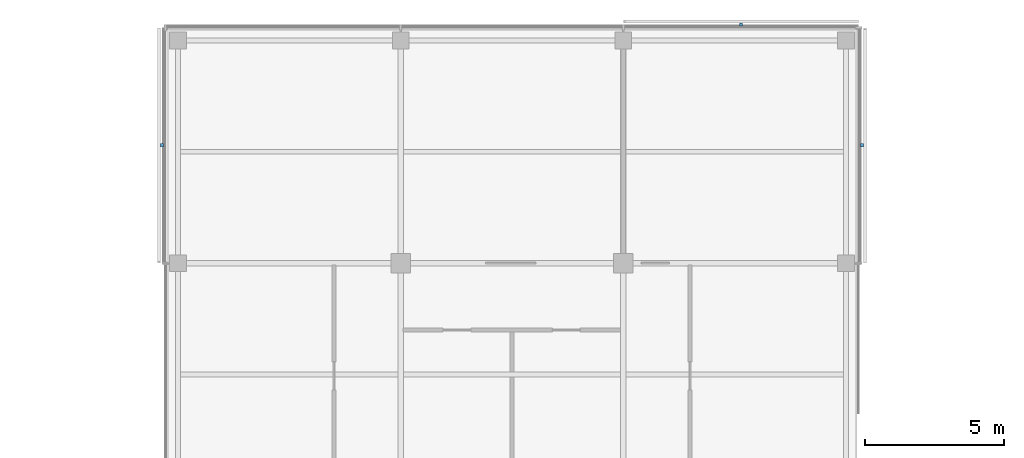
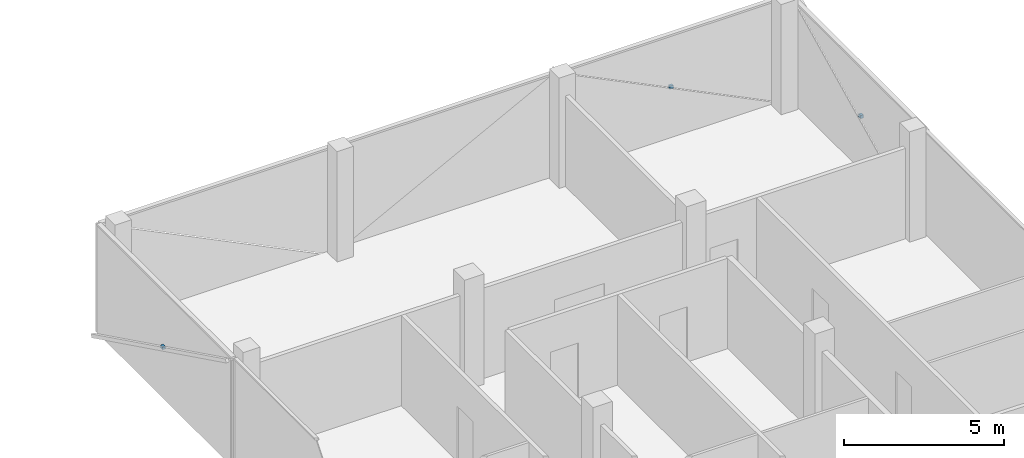
# One storey, part 15 of 16: 3 discrete accessories.
"""IFC4 building model written with IfcOpenShell, lengths in metres."""

from ifc_helpers import new_model, si_unit, direction, frame, origin, origin_2d, place, context, subcontext, project, spatial, rectangle, extrude, material, type_object, element, save


model = new_model("IFC4")

# Units and contexts
model_context = context("Model", 3, precision=1e-05, world=origin(), true_north=direction((0.0, 1.0)))
body_context = subcontext(model_context, "Body", "Model", "MODEL_VIEW")
ifc_project = project(units=[si_unit("LENGTHUNIT", "METRE"), si_unit("AREAUNIT", "SQUARE_METRE"), si_unit("VOLUMEUNIT", "CUBIC_METRE"), si_unit("PLANEANGLEUNIT", "RADIAN"), si_unit("MASSUNIT", "GRAM", prefix="KILO")], contexts=[model_context])

# Site, building, storey
site_placement = place(None, origin())
site = spatial("IfcSite", under=ifc_project, at=site_placement, CompositionType="ELEMENT")
building_placement = place(site_placement, origin())
building = spatial("IfcBuilding", under=site, at=building_placement, Name="Crosswind Convention Tower", CompositionType="ELEMENT")
storey_placement = place(building_placement, frame((0.0, 0.0, 270.300048828125)))
storey = spatial("IfcBuildingStorey", under=building, at=storey_placement, Name="L58", CompositionType="ELEMENT", Elevation=270.300048828125)

# Discrete accessories
ifc_material = material(Name="Stainless steel", Category="steel")
discrete_accessory_type = type_object("IfcDiscreteAccessoryType", Name="BAGUETTE BRACKET BK3", PredefinedType="BRACKET", material=ifc_material)
for number, where, z_axis, x_axis, name in (
    (1, (137.575927734375, 124.22998046875, 1.704833984375), (0.0, 0.0, 1.0), (0.0, 1.0, 0.0), "BK3 baguette bracket"),
    (2, (133.22998046875, 128.575927734375, 1.704833984375), (0.0, 0.0, 1.0), (-1.0, 0.0, 0.0), "BK3 baguette bracket"),
    (3, (112.424072265625, 124.22998046875, 1.704833984375), (0.0, 0.0, 1.0), (0.0, -1.0, 0.0), "BK3 baguette bracket"),
):
    element("IfcDiscreteAccessory", number, at=place(storey_placement, frame(where, z_axis=z_axis, x_axis=x_axis)), inside=storey, type_object=discrete_accessory_type, Name=name, PredefinedType="BRACKET", context=body_context, shape_type="SweptSolid", body=[
        extrude(rectangle(XDim=0.1201171875, YDim=0.10009765625, at=origin_2d()), origin(), (0.0, 0.0, 1.0), 0.1201171875),
    ])

save(model, "model.ifc")
